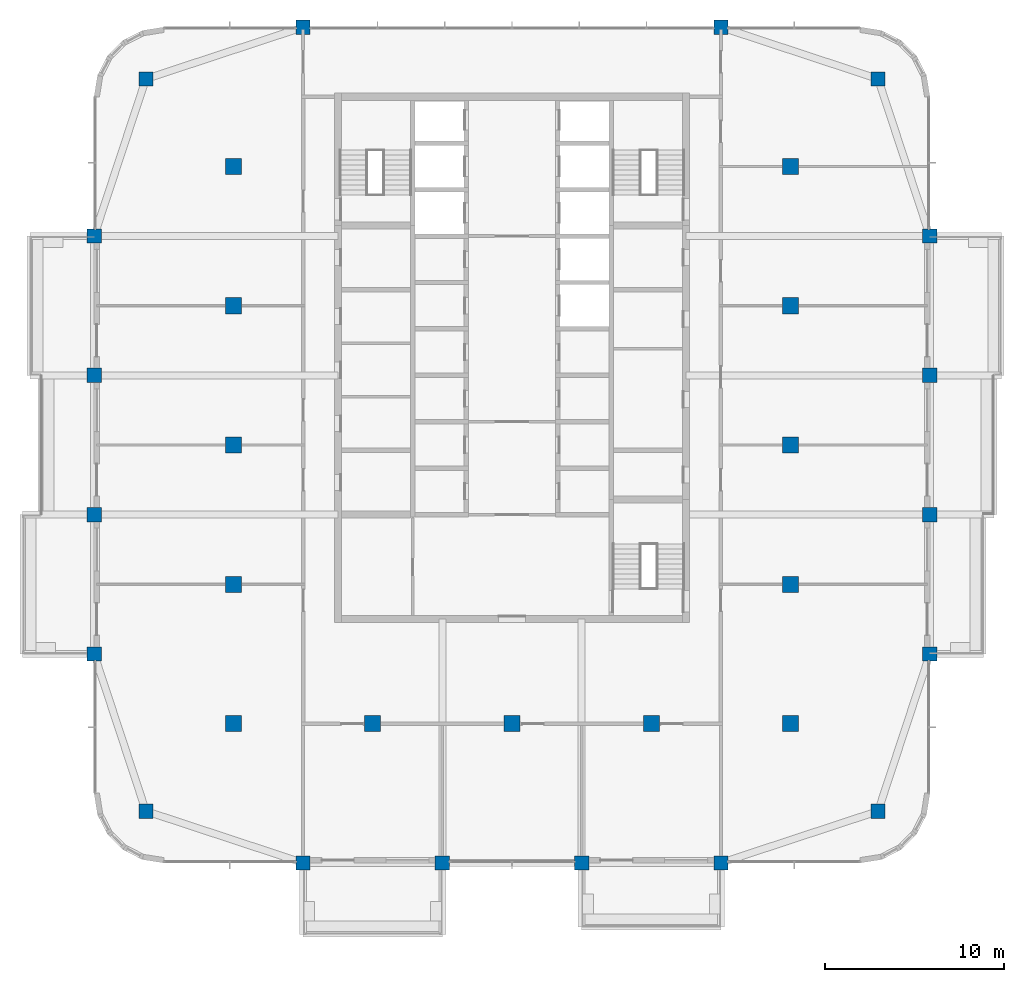
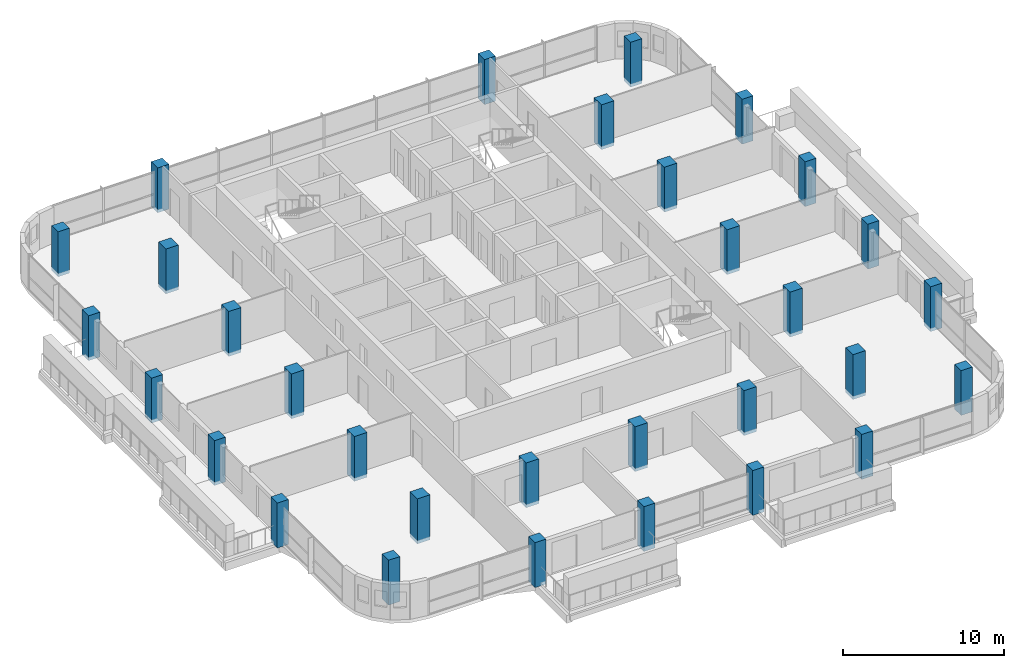
# One storey, part 1 of 22: 31 columns.
"""IFC4 building model written with IfcOpenShell, lengths in metres."""

from ifc_helpers import new_model, si_unit, direction, frame, origin, origin_2d, place, context, subcontext, project, spatial, rectangle, extrude, material, material_profile, profile_set, type_object, element, save


model = new_model("IFC4")

# Units and contexts
model_context = context("Model", 3, precision=1e-05, world=origin(), true_north=direction((0.0, 1.0)))
body_context = subcontext(model_context, "Body", "Model", "MODEL_VIEW")
ifc_project = project(units=[si_unit("LENGTHUNIT", "METRE"), si_unit("AREAUNIT", "SQUARE_METRE"), si_unit("VOLUMEUNIT", "CUBIC_METRE"), si_unit("PLANEANGLEUNIT", "RADIAN"), si_unit("MASSUNIT", "GRAM", prefix="KILO")], contexts=[model_context])

# Site, building, storey
site_placement = place(None, origin())
site = spatial("IfcSite", under=ifc_project, at=site_placement, CompositionType="ELEMENT")
building_placement = place(site_placement, origin())
building = spatial("IfcBuilding", under=site, at=building_placement, Name="Ludao Terraces", CompositionType="ELEMENT")
storey_placement = place(building_placement, frame((0.0, 0.0, 200.699951171875)))
storey = spatial("IfcBuildingStorey", under=building, at=storey_placement, Name="L54", CompositionType="ELEMENT", Elevation=200.699951171875)

# Columns
ifc_material = material(Name="Concrete C50", Category="concrete")
ifc_material_profile_1 = material_profile(ifc_material, rectangle(XDim=0.800048828125, YDim=0.800048828125, at=origin_2d()), Name="800 X 800")
ifc_profile_set_1 = profile_set([ifc_material_profile_1], Name="Concrete C50")
column_type_1 = type_object("IfcColumnType", Name="RC column 800x800 C50", PredefinedType="COLUMN", material=ifc_profile_set_1)
for number, where, z_axis, x_axis, name in (
    (1, (64.5, 44.5, -0.25), (0.0, 0.0, 1.0), (1.0, 0.0, 0.0), "Column L54 C0029x0029"),
    (2, (105.5, 44.5, -0.25), (0.0, 0.0, 1.0), (1.0, 0.0, 0.0), "Column L54 C0439x0029"),
    (3, (64.5, 85.5, -0.25), (0.0, 0.0, 1.0), (1.0, 0.0, 0.0), "Column L54 C0029x0439"),
    (4, (105.5, 85.5, -0.25), (0.0, 0.0, 1.0), (1.0, 0.0, 0.0), "Column L54 C0439x0439"),
    (5, (61.60009765625, 53.300048828125, -0.25), (0.0, 0.0, 1.0), (1.0, 0.0, 0.0), "Column L54 F0000x0117"),
    (6, (108.39990234375, 53.300048828125, -0.25), (0.0, 0.0, 1.0), (1.0, 0.0, 0.0), "Column L54 F0468x0117"),
    (7, (73.300048828125, 41.60009765625, -0.25), (0.0, 0.0, 1.0), (1.0, 0.0, 0.0), "Column L54 F0117x0000"),
    (8, (73.300048828125, 88.39990234375, -0.25), (0.0, 0.0, 1.0), (1.0, 0.0, 0.0), "Column L54 F0117x0468"),
    (9, (61.60009765625, 61.10009765625, -0.25), (0.0, 0.0, 1.0), (1.0, 0.0, 0.0), "Column L54 F0000x0195"),
    (10, (108.39990234375, 61.10009765625, -0.25), (0.0, 0.0, 1.0), (1.0, 0.0, 0.0), "Column L54 F0468x0195"),
    (11, (81.10009765625, 41.60009765625, -0.25), (0.0, 0.0, 1.0), (1.0, 0.0, 0.0), "Column L54 F0195x0000"),
    (12, (61.60009765625, 68.89990234375, -0.25), (0.0, 0.0, 1.0), (1.0, 0.0, 0.0), "Column L54 F0000x0273"),
    (13, (108.39990234375, 68.89990234375, -0.25), (0.0, 0.0, 1.0), (1.0, 0.0, 0.0), "Column L54 F0468x0273"),
    (14, (88.89990234375, 41.60009765625, -0.25), (0.0, 0.0, 1.0), (1.0, 0.0, 0.0), "Column L54 F0273x0000"),
    (15, (61.60009765625, 76.699951171875, -0.25), (0.0, 0.0, 1.0), (1.0, 0.0, 0.0), "Column L54 F0000x0351"),
    (16, (108.39990234375, 76.699951171875, -0.25), (0.0, 0.0, 1.0), (1.0, 0.0, 0.0), "Column L54 F0468x0351"),
    (17, (96.699951171875, 41.60009765625, -0.25), (0.0, 0.0, 1.0), (1.0, 0.0, 0.0), "Column L54 F0351x0000"),
    (18, (96.699951171875, 88.39990234375, -0.25), (0.0, 0.0, 1.0), (1.0, 0.0, 0.0), "Column L54 F0351x0468"),
):
    element("IfcColumn", number, at=place(storey_placement, frame(where, z_axis=z_axis, x_axis=x_axis)), inside=storey, type_object=column_type_1, Name=name, PredefinedType="COLUMN", context=body_context, shape_type="SweptSolid", body=[
        extrude(rectangle(XDim=0.800048828125, YDim=0.800048828125, at=origin_2d()), origin(), (0.0, 0.0, 1.0), 3.400146484375),
    ])
ifc_material_profile_2 = material_profile(ifc_material, rectangle(XDim=0.89990234375, YDim=0.89990234375, at=origin_2d()), Name="900 X 900")
ifc_profile_set_2 = profile_set([ifc_material_profile_2], Name="Concrete C50")
column_type_2 = type_object("IfcColumnType", Name="RC column 900x900 C50", PredefinedType="COLUMN", material=ifc_profile_set_2)
for number, where, z_axis, x_axis, name in (
    (19, (69.39990234375, 49.39990234375, -0.25), (0.0, 0.0, 1.0), (1.0, 0.0, 0.0), "Column L54 S0078x0078"),
    (20, (69.39990234375, 57.199951171875, -0.25), (0.0, 0.0, 1.0), (1.0, 0.0, 0.0), "Column L54 S0078x0156"),
    (21, (69.39990234375, 65.0, -0.25), (0.0, 0.0, 1.0), (1.0, 0.0, 0.0), "Column L54 S0078x0234"),
    (22, (69.39990234375, 72.800048828125, -0.25), (0.0, 0.0, 1.0), (1.0, 0.0, 0.0), "Column L54 S0078x0312"),
    (23, (69.39990234375, 80.60009765625, -0.25), (0.0, 0.0, 1.0), (1.0, 0.0, 0.0), "Column L54 S0078x0390"),
    (24, (77.199951171875, 49.39990234375, -0.25), (0.0, 0.0, 1.0), (1.0, 0.0, 0.0), "Column L54 S0156x0078"),
    (25, (85.0, 49.39990234375, -0.25), (0.0, 0.0, 1.0), (1.0, 0.0, 0.0), "Column L54 S0234x0078"),
    (26, (92.800048828125, 49.39990234375, -0.25), (0.0, 0.0, 1.0), (1.0, 0.0, 0.0), "Column L54 S0312x0078"),
    (27, (100.60009765625, 49.39990234375, -0.25), (0.0, 0.0, 1.0), (1.0, 0.0, 0.0), "Column L54 S0390x0078"),
    (28, (100.60009765625, 57.199951171875, -0.25), (0.0, 0.0, 1.0), (1.0, 0.0, 0.0), "Column L54 S0390x0156"),
    (29, (100.60009765625, 65.0, -0.25), (0.0, 0.0, 1.0), (1.0, 0.0, 0.0), "Column L54 S0390x0234"),
    (30, (100.60009765625, 72.800048828125, -0.25), (0.0, 0.0, 1.0), (1.0, 0.0, 0.0), "Column L54 S0390x0312"),
    (31, (100.60009765625, 80.60009765625, -0.25), (0.0, 0.0, 1.0), (1.0, 0.0, 0.0), "Column L54 S0390x0390"),
):
    element("IfcColumn", number, at=place(storey_placement, frame(where, z_axis=z_axis, x_axis=x_axis)), inside=storey, type_object=column_type_2, Name=name, PredefinedType="COLUMN", context=body_context, shape_type="SweptSolid", body=[
        extrude(rectangle(XDim=0.89990234375, YDim=0.89990234375, at=origin_2d()), origin(), (0.0, 0.0, 1.0), 3.400146484375),
    ])

save(model, "model.ifc")
